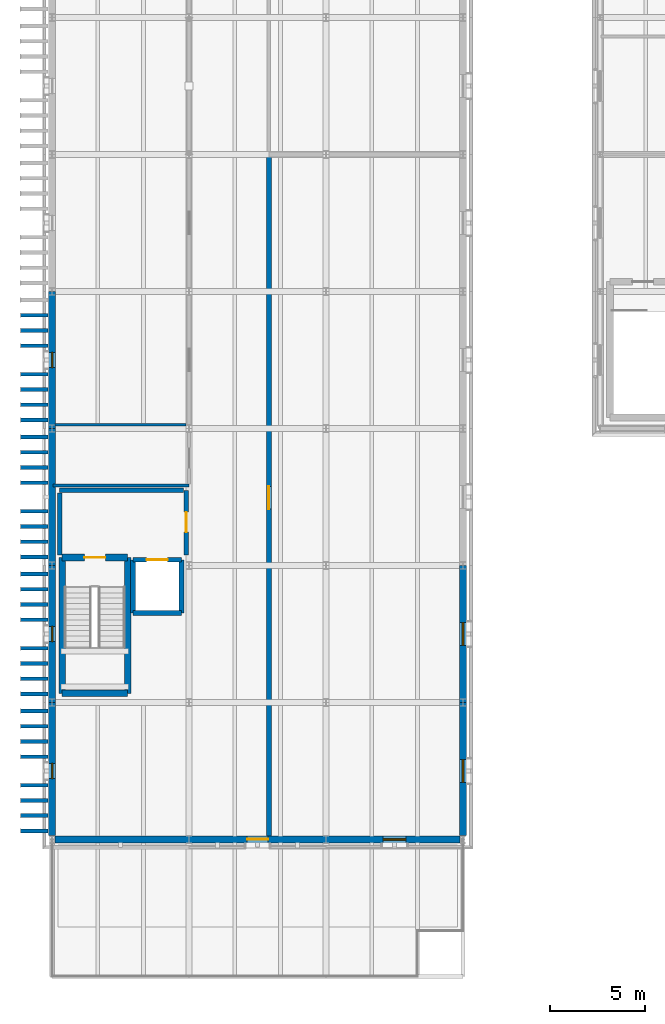
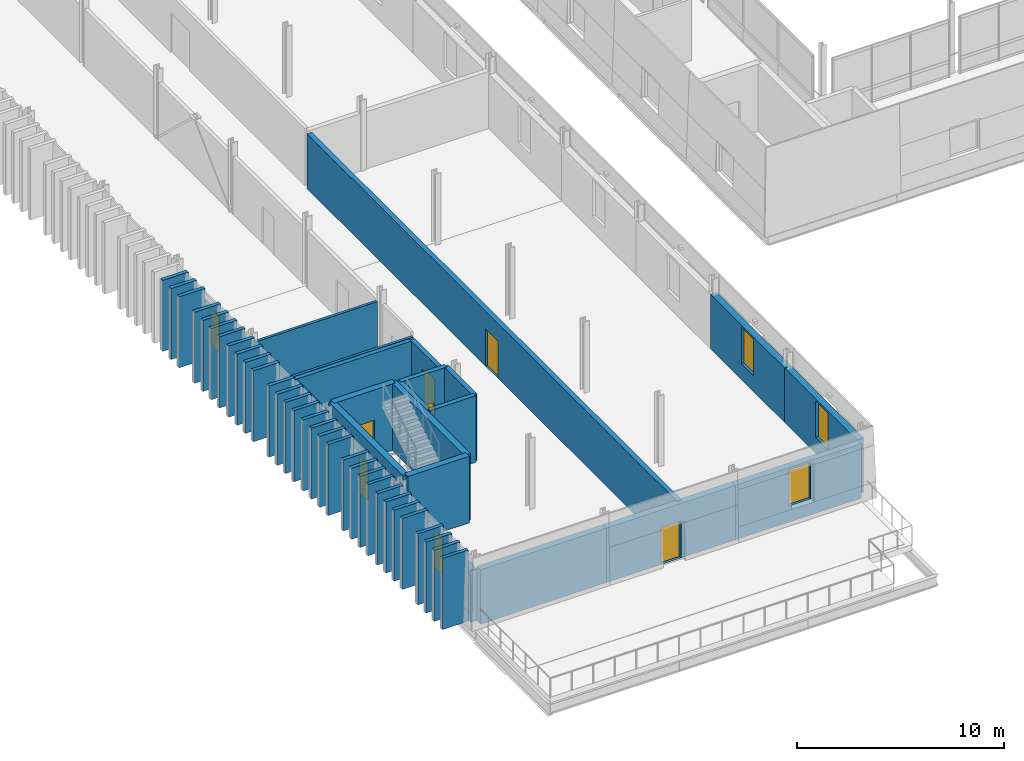
# One storey, part 43 of 66: 54 walls, 6 windows, 5 doors, 11 openings.
"""IFC4 building model written with IfcOpenShell, lengths in metres."""

from ifc_helpers import new_model, si_unit, direction, frame, frame_2d, origin, place, context, subcontext, project, spatial, rectangle, extrude, material, layer, layer_set, type_object, element, fill, save


model = new_model("IFC4")

# Units and contexts
model_context = context("Model", 3, precision=1e-05, world=origin(), true_north=direction((0.0, 1.0)))
body_context = subcontext(model_context, "Body", "Model", "MODEL_VIEW")
ifc_project = project(units=[si_unit("LENGTHUNIT", "METRE"), si_unit("AREAUNIT", "SQUARE_METRE"), si_unit("VOLUMEUNIT", "CUBIC_METRE"), si_unit("PLANEANGLEUNIT", "RADIAN"), si_unit("MASSUNIT", "GRAM", prefix="KILO")], contexts=[model_context])

# Site, building, storey
site_placement = place(None, origin())
site = spatial("IfcSite", under=ifc_project, at=site_placement, CompositionType="ELEMENT")
building_placement = place(site_placement, origin())
building = spatial("IfcBuilding", under=site, at=building_placement, Name="Narikvali Park Central Library", CompositionType="ELEMENT")
storey_placement = place(building_placement, frame((0.0, 0.0, 18.60009765625)))
storey = spatial("IfcBuildingStorey", under=building, at=storey_placement, Name="L04", CompositionType="ELEMENT", Elevation=18.60009765625)

# Wall, opening, door
ifc_material_1 = material(Name="Autoclaved Concrete Blockwork C25/30", Category="masonry")
ifc_layer_1 = layer(ifc_material_1, 0.239990234375, Name="Autoclaved Concrete Blockwork C25/30")
ifc_layer_set_1 = layer_set([ifc_layer_1], Name="Autoclaved Concrete Blockwork C25/30")
wall_type_1 = type_object("IfcWallType", Name="Fire Compartment Concrete Block Wall 240", PredefinedType="SOLIDWALL", material=ifc_layer_set_1)
wall_1_placement = place(storey_placement, frame((7.050048828125, 50.949951171875, 0.0), z_axis=(0.0, 0.0, 1.0), x_axis=(0.0, 1.0, 0.0)))
wall_1 = element("IfcWall", 1, at=wall_1_placement, inside=storey, type_object=wall_type_1, Name="C5A L04 Firefighting Lobby Wall E", PredefinedType="SOLIDWALL", context=body_context, shape_type="SweptSolid", body=[
    extrude(rectangle(XDim=3.400146484375, YDim=0.239990234375, at=frame_2d((1.7001953125, 0.0))), origin(), (0.0, 0.0, 1.0), 3.199951171875),
])
opening_1_placement = place(wall_1_placement, frame((1.199951171875, 0.0, 0.0)))
opening_1 = element("IfcOpeningElement", 2, at=opening_1_placement, cuts=wall_1, Name="Opening FF-047", PredefinedType="OPENING", context=body_context, shape_type="SweptSolid", body=[
    extrude(rectangle(XDim=1.050048828125, YDim=2.14990234375, at=frame_2d((0.52490234375, 1.074951171875))), frame((0.0, 0.1318359375, 0.0), z_axis=(0.0, -1.0, 0.0), x_axis=(1.0, 0.0, 0.0)), (0.0, 0.0, 1.0), 0.263916015625),
])
ifc_material_2 = material(Name="Powder-Coated Steel S275 Fire Leaf", Category="steel")
door_type_1 = type_object("IfcDoorType", Name="Firefighting Lobby Single Fire Door 1050x2150", OperationType="SINGLE_SWING_RIGHT", PredefinedType="DOOR", material=ifc_material_2)
door_1_placement = place(opening_1_placement, frame((1.050048828125, 0.0, 0.0), z_axis=(0.0, 0.0, 1.0), x_axis=(-1.0, 0.0, 0.0)))
door_1 = element("IfcDoor", 3, at=door_1_placement, inside=storey, type_object=door_type_1, Name="FF-01 L04 Firefighting Lobby Corridor Door", OperationType="SINGLE_SWING_RIGHT", OverallHeight=2.14990234375, OverallWidth=1.050048828125, PredefinedType="DOOR", context=body_context, shape_type="SweptSolid", body=[
    extrude(rectangle(XDim=1.050048828125, YDim=2.14990234375, at=frame_2d((0.52490234375, 1.074951171875))), frame((0.0, 0.02490234375, 0.0), z_axis=(0.0, -1.0, 0.0), x_axis=(1.0, 0.0, 0.0)), (0.0, 0.0, 1.0), 0.050048828125),
])
fill(opening_1, door_1)

# Walls
wall_2_placement = place(storey_placement, frame((0.39990234375, 54.35009765625, 0.0), z_axis=(0.0, 0.0, 1.0), x_axis=(1.0, 0.0, 0.0)))
element("IfcWall", 4, at=wall_2_placement, inside=storey, type_object=wall_type_1, Name="C5A L04 Firefighting Lobby Wall N", PredefinedType="SOLIDWALL", context=body_context, shape_type="SweptSolid", body=[
    extrude(rectangle(XDim=6.52001953125, YDim=0.239990234375, at=frame_2d((3.260009765625, 0.0))), origin(), (0.0, 0.0, 1.0), 3.199951171875),
])
wall_3_placement = place(storey_placement, frame((0.39990234375, 50.949951171875, 0.0), z_axis=(0.0, 0.0, 1.0), x_axis=(0.0, 1.0, 0.0)))
element("IfcWall", 5, at=wall_3_placement, inside=storey, type_object=wall_type_1, Name="C5A L04 Firefighting Lobby Wall W", PredefinedType="SOLIDWALL", context=body_context, shape_type="SweptSolid", body=[
    extrude(rectangle(XDim=3.27001953125, YDim=0.239990234375, at=frame_2d((1.635009765625, 0.0))), origin(), (0.0, 0.0, 1.0), 3.199951171875),
])
ifc_material_3 = material(Name="Kiln-Fired Terracotta Red Brick Masonry", Category="masonry")
ifc_layer_2 = layer(ifc_material_3, 0.199951171875, Name="Kiln-Fired Terracotta Red Brick Masonry")
ifc_layer_set_2 = layer_set([ifc_layer_2], Name="Kiln-Fired Terracotta Red Brick Masonry")
wall_type_2 = type_object("IfcWallType", Name="Kiln-Fired Red Brick Vertical Fin Wall 200", PredefinedType="SOLIDWALL", material=ifc_layer_set_2)
for number, where, z_axis, x_axis, name in (
    (6, (-1.659912109375, 36.449951171875, 0.0), (0.0, 0.0, 1.0), (1.0, 0.0, 0.0), "West Stacks Red Brick Vertical Fin Pier 037"),
    (7, (-1.659912109375, 37.25, 0.0), (0.0, 0.0, 1.0), (1.0, 0.0, 0.0), "West Stacks Red Brick Vertical Fin Pier 042"),
    (8, (-1.659912109375, 38.050048828125, 0.0), (0.0, 0.0, 1.0), (1.0, 0.0, 0.0), "West Stacks Red Brick Vertical Fin Pier 047"),
    (9, (-1.659912109375, 38.85009765625, 0.0), (0.0, 0.0, 1.0), (1.0, 0.0, 0.0), "West Stacks Red Brick Vertical Fin Pier 052"),
    (10, (-1.659912109375, 40.35009765625, 0.0), (0.0, 0.0, 1.0), (1.0, 0.0, 0.0), "West Stacks Red Brick Vertical Fin Pier 057"),
    (11, (-1.659912109375, 41.14990234375, 0.0), (0.0, 0.0, 1.0), (1.0, 0.0, 0.0), "West Stacks Red Brick Vertical Fin Pier 062"),
    (12, (-1.659912109375, 41.949951171875, 0.0), (0.0, 0.0, 1.0), (1.0, 0.0, 0.0), "West Stacks Red Brick Vertical Fin Pier 067"),
    (13, (-1.659912109375, 42.75, 0.0), (0.0, 0.0, 1.0), (1.0, 0.0, 0.0), "West Stacks Red Brick Vertical Fin Pier 072"),
    (14, (-1.659912109375, 43.64990234375, 0.0), (0.0, 0.0, 1.0), (1.0, 0.0, 0.0), "West Stacks Red Brick Vertical Fin Pier 077"),
    (15, (-1.659912109375, 44.449951171875, 0.0), (0.0, 0.0, 1.0), (1.0, 0.0, 0.0), "West Stacks Red Brick Vertical Fin Pier 083"),
    (16, (-1.659912109375, 45.25, 0.0), (0.0, 0.0, 1.0), (1.0, 0.0, 0.0), "West Stacks Red Brick Vertical Fin Pier 089"),
    (17, (-1.659912109375, 46.050048828125, 0.0), (0.0, 0.0, 1.0), (1.0, 0.0, 0.0), "West Stacks Red Brick Vertical Fin Pier 095"),
    (18, (-1.659912109375, 47.550048828125, 0.0), (0.0, 0.0, 1.0), (1.0, 0.0, 0.0), "West Stacks Red Brick Vertical Fin Pier 101"),
    (19, (-1.659912109375, 48.35009765625, 0.0), (0.0, 0.0, 1.0), (1.0, 0.0, 0.0), "West Stacks Red Brick Vertical Fin Pier 107"),
    (20, (-1.659912109375, 49.14990234375, 0.0), (0.0, 0.0, 1.0), (1.0, 0.0, 0.0), "West Stacks Red Brick Vertical Fin Pier 113"),
    (21, (-1.659912109375, 49.949951171875, 0.0), (0.0, 0.0, 1.0), (1.0, 0.0, 0.0), "West Stacks Red Brick Vertical Fin Pier 119"),
    (22, (-1.659912109375, 50.85009765625, 0.0), (0.0, 0.0, 1.0), (1.0, 0.0, 0.0), "West Stacks Red Brick Vertical Fin Pier 125"),
    (23, (-1.659912109375, 51.64990234375, 0.0), (0.0, 0.0, 1.0), (1.0, 0.0, 0.0), "West Stacks Red Brick Vertical Fin Pier 131"),
    (24, (-1.659912109375, 52.449951171875, 0.0), (0.0, 0.0, 1.0), (1.0, 0.0, 0.0), "West Stacks Red Brick Vertical Fin Pier 137"),
    (25, (-1.659912109375, 53.25, 0.0), (0.0, 0.0, 1.0), (1.0, 0.0, 0.0), "West Stacks Red Brick Vertical Fin Pier 143"),
    (26, (-1.659912109375, 54.75, 0.0), (0.0, 0.0, 1.0), (1.0, 0.0, 0.0), "West Stacks Red Brick Vertical Fin Pier 149"),
    (27, (-1.659912109375, 55.550048828125, 0.0), (0.0, 0.0, 1.0), (1.0, 0.0, 0.0), "West Stacks Red Brick Vertical Fin Pier 155"),
    (28, (-1.659912109375, 56.35009765625, 0.0), (0.0, 0.0, 1.0), (1.0, 0.0, 0.0), "West Stacks Red Brick Vertical Fin Pier 161"),
    (29, (-1.659912109375, 57.14990234375, 0.0), (0.0, 0.0, 1.0), (1.0, 0.0, 0.0), "West Stacks Red Brick Vertical Fin Pier 167"),
    (30, (-1.659912109375, 58.050048828125, 0.0), (0.0, 0.0, 1.0), (1.0, 0.0, 0.0), "West Stacks Red Brick Vertical Fin Pier 173"),
    (31, (-1.659912109375, 58.85009765625, 0.0), (0.0, 0.0, 1.0), (1.0, 0.0, 0.0), "West Stacks Red Brick Vertical Fin Pier 179"),
    (32, (-1.659912109375, 59.64990234375, 0.0), (0.0, 0.0, 1.0), (1.0, 0.0, 0.0), "West Stacks Red Brick Vertical Fin Pier 185"),
    (33, (-1.659912109375, 60.449951171875, 0.0), (0.0, 0.0, 1.0), (1.0, 0.0, 0.0), "West Stacks Red Brick Vertical Fin Pier 191"),
    (34, (-1.659912109375, 61.949951171875, 0.0), (0.0, 0.0, 1.0), (1.0, 0.0, 0.0), "West Stacks Red Brick Vertical Fin Pier 197"),
    (35, (-1.659912109375, 62.75, 0.0), (0.0, 0.0, 1.0), (1.0, 0.0, 0.0), "West Stacks Red Brick Vertical Fin Pier 203"),
    (36, (-1.659912109375, 63.550048828125, 0.0), (0.0, 0.0, 1.0), (1.0, 0.0, 0.0), "West Stacks Red Brick Vertical Fin Pier 209"),
):
    element("IfcWall", number, at=place(storey_placement, frame(where, z_axis=z_axis, x_axis=x_axis)), inside=storey, type_object=wall_type_2, Name=name, PredefinedType="SOLIDWALL", context=body_context, shape_type="SweptSolid", body=[
        extrude(rectangle(XDim=1.43994140625, YDim=0.199951171875, at=frame_2d((0.719970703125, 0.0))), origin(), (0.0, 0.0, 1.0), 4.199951171875),
    ])
ifc_material_4 = material(Name="Moisture-Resistant Cement Board on Steel Studs", Category="steel")
ifc_layer_3 = layer(ifc_material_4, 0.14990234375, Name="Moisture-Resistant Cement Board on Steel Studs")
ifc_layer_set_3 = layer_set([ifc_layer_3], Name="Moisture-Resistant Cement Board on Steel Studs")
wall_type_3 = type_object("IfcWallType", Name="Moisture-Resistant WC Partition 150", PredefinedType="PARTITIONING", material=ifc_layer_set_3)
wall_4_placement = place(storey_placement, frame((0.054931640625, 54.60009765625, 0.0), z_axis=(0.0, 0.0, 1.0), x_axis=(1.0, 0.0, 0.0)))
element("IfcWall", 37, at=wall_4_placement, inside=storey, type_object=wall_type_3, Name="Stacks Wing Accessible WC L04 Partition S", PredefinedType="PARTITIONING", context=body_context, shape_type="SweptSolid", body=[
    extrude(rectangle(XDim=7.14501953125, YDim=0.14990234375, at=frame_2d((3.572509765625, 0.0))), origin(), (0.0, 0.0, 1.0), 3.171875),
])
wall_5_placement = place(storey_placement, frame((0.154052734375, 57.800048828125, 0.0), z_axis=(0.0, 0.0, 1.0), x_axis=(1.0, 0.0, 0.0)))
element("IfcWall", 38, at=wall_5_placement, inside=storey, type_object=wall_type_3, Name="Stacks Wing Accessible WC L04 Partition N", PredefinedType="PARTITIONING", context=body_context, shape_type="SweptSolid", body=[
    extrude(rectangle(XDim=6.891845703125, YDim=0.14990234375, at=frame_2d((3.44580078125, 0.0))), origin(), (0.0, 0.0, 1.0), 3.375),
])

# Wall, opening, door
ifc_material_5 = material(Name="High-Density Concrete Blockwork C35/45", Category="masonry")
ifc_layer_4 = layer(ifc_material_5, 0.27001953125, Name="High-Density Concrete Blockwork C35/45")
ifc_layer_set_4 = layer_set([ifc_layer_4], Name="High-Density Concrete Blockwork C35/45")
wall_type_4 = type_object("IfcWallType", Name="Rare Books Vault Partition Wall 270", PredefinedType="SOLIDWALL", material=ifc_layer_set_4)
wall_6_placement = place(storey_placement, frame((11.39990234375, 36.054931640625, 0.0), z_axis=(0.0, 0.0, 1.0), x_axis=(0.0, 1.0, 0.0)))
wall_6 = element("IfcWall", 39, at=wall_6_placement, inside=storey, type_object=wall_type_4, Name="Black Sea Cartographic Archive Partition W", PredefinedType="SOLIDWALL", context=body_context, shape_type="SweptSolid", body=[
    extrude(rectangle(XDim=35.80810546875, YDim=0.27001953125, at=frame_2d((17.904052734375, 0.0))), origin(), (0.0, 0.0, 1.0), 3.244873046875),
])
opening_2_placement = place(wall_6_placement, frame((17.303955078125, 0.0, 0.0)))
opening_2 = element("IfcOpeningElement", 40, at=opening_2_placement, cuts=wall_6, Name="Opening ID-0136", PredefinedType="OPENING", context=body_context, shape_type="SweptSolid", body=[
    extrude(rectangle(XDim=1.199951171875, YDim=2.199951171875, at=frame_2d((0.60009765625, 1.10009765625))), frame((0.0, 0.14697265625, 0.0), z_axis=(0.0, -1.0, 0.0), x_axis=(1.0, 0.0, 0.0)), (0.0, 0.0, 1.0), 0.2939453125),
])
ifc_material_6 = material(Name="Insulated Steel S355 Vault Leaf", Category="steel")
door_type_2 = type_object("IfcDoorType", Name="Archive Vault Heavy Fire Door 1200x2200", OperationType="SINGLE_SWING_LEFT", PredefinedType="DOOR", material=ifc_material_6)
door_2_placement = place(opening_2_placement, frame((1.199951171875, 0.0, 0.0), z_axis=(0.0, 0.0, 1.0), x_axis=(-1.0, 0.0, 0.0)))
door_2 = element("IfcDoor", 41, at=door_2_placement, inside=storey, type_object=door_type_2, Name="Black Sea Cartographic Archive Door ID-0136", OperationType="SINGLE_SWING_RIGHT", OverallHeight=2.199951171875, OverallWidth=1.199951171875, PredefinedType="DOOR", context=body_context, shape_type="SweptSolid", body=[
    extrude(rectangle(XDim=1.199951171875, YDim=2.199951171875, at=frame_2d((0.60009765625, 1.10009765625))), frame((0.0, 0.02490234375, 0.0), z_axis=(0.0, -1.0, 0.0), x_axis=(1.0, 0.0, 0.0)), (0.0, 0.0, 1.0), 0.050048828125),
])
fill(opening_2, door_2)

# Walls
ifc_material_7 = material(Name="Concrete C40/50", Category="concrete")
ifc_layer_5 = layer(ifc_material_7, 0.35009765625, Name="Concrete C40/50")
ifc_layer_set_5 = layer_set([ifc_layer_5], Name="Concrete C40/50")
wall_type_5 = type_object("IfcWallType", Name="Reinforced Concrete Core Shear Wall 350", PredefinedType="SHEAR", material=ifc_layer_set_5)
wall_7_placement = place(storey_placement, frame((0.530029296875, 43.679931640625, 0.0), z_axis=(0.0, 0.0, 1.0), x_axis=(1.0, 0.0, 0.0)))
element("IfcWall", 42, at=wall_7_placement, inside=storey, type_object=wall_type_5, Name="C5A L04 Stair Core Shear Wall S", PredefinedType="SHEAR", context=body_context, shape_type="SweptSolid", body=[
    extrude(rectangle(XDim=3.43994140625, YDim=0.35009765625, at=frame_2d((1.719970703125, 0.0))), origin(), (0.0, 0.0, 1.0), 3.93994140625),
])
wall_8_placement = place(storey_placement, frame((3.969970703125, 43.679931640625, 0.0), z_axis=(0.0, 0.0, 1.0), x_axis=(0.0, 1.0, 0.0)))
element("IfcWall", 43, at=wall_8_placement, inside=storey, type_object=wall_type_5, Name="C5A L04 Stair Core Shear Wall E", PredefinedType="SHEAR", context=body_context, shape_type="SweptSolid", body=[
    extrude(rectangle(XDim=7.14013671875, YDim=0.35009765625, at=frame_2d((3.570068359375, 0.0))), origin(), (0.0, 0.0, 1.0), 3.93994140625),
])

# Wall, opening, door
wall_9_placement = place(storey_placement, frame((3.969970703125, 50.820068359375, 0.0), z_axis=(0.0, 0.0, 1.0), x_axis=(-1.0, 0.0, 0.0)))
wall_9 = element("IfcWall", 44, at=wall_9_placement, inside=storey, type_object=wall_type_5, Name="C5A L04 Stair Core Shear Wall N", PredefinedType="SHEAR", context=body_context, shape_type="SweptSolid", body=[
    extrude(rectangle(XDim=3.43994140625, YDim=0.35009765625, at=frame_2d((1.719970703125, 0.0))), origin(), (0.0, 0.0, 1.0), 3.93994140625),
])
opening_3_placement = place(wall_9_placement, frame((1.169921875, 0.0, 0.0)))
opening_3 = element("IfcOpeningElement", 45, at=opening_3_placement, cuts=wall_9, Name="Opening SD-046", PredefinedType="OPENING", context=body_context, shape_type="SweptSolid", body=[
    extrude(rectangle(XDim=1.10009765625, YDim=2.14990234375, at=frame_2d((0.550048828125, 1.074951171875))), frame((0.0, 0.18701171875, 0.0), z_axis=(0.0, -1.0, 0.0), x_axis=(1.0, 0.0, 0.0)), (0.0, 0.0, 1.0), 0.3740234375),
])
door_type_3 = type_object("IfcDoorType", Name="Stair Core Smoke-Control Fire Door 1100x2150", OperationType="SINGLE_SWING_LEFT", PredefinedType="DOOR", material=ifc_material_2)
door_3_placement = place(opening_3_placement, frame((1.10009765625, 0.0, 0.0), z_axis=(0.0, 0.0, 1.0), x_axis=(-1.0, 0.0, 0.0)))
door_3 = element("IfcDoor", 46, at=door_3_placement, inside=storey, type_object=door_type_3, Name="ST-09 L04 Stair Exit Door SD-046", OperationType="SINGLE_SWING_RIGHT", OverallHeight=2.14990234375, OverallWidth=1.10009765625, PredefinedType="DOOR", context=body_context, shape_type="SweptSolid", body=[
    extrude(rectangle(XDim=1.10009765625, YDim=2.14990234375, at=frame_2d((0.550048828125, 1.074951171875))), frame((0.0, 0.02490234375, 0.0), z_axis=(0.0, -1.0, 0.0), x_axis=(1.0, 0.0, 0.0)), (0.0, 0.0, 1.0), 0.050048828125),
])
fill(opening_3, door_3)

# Walls
wall_10_placement = place(storey_placement, frame((0.530029296875, 50.820068359375, 0.0), z_axis=(0.0, 0.0, 1.0), x_axis=(0.0, -1.0, 0.0)))
element("IfcWall", 47, at=wall_10_placement, inside=storey, type_object=wall_type_5, Name="C5A L04 Stair Core Shear Wall W", PredefinedType="SHEAR", context=body_context, shape_type="SweptSolid", body=[
    extrude(rectangle(XDim=7.14013671875, YDim=0.35009765625, at=frame_2d((3.570068359375, 0.0))), origin(), (0.0, 0.0, 1.0), 3.93994140625),
])
ifc_layer_6 = layer(ifc_material_7, 0.25, Name="Concrete C40/50")
ifc_layer_set_6 = layer_set([ifc_layer_6], Name="Concrete C40/50")
wall_type_6 = type_object("IfcWallType", Name="Reinforced Concrete Lift Shaft Wall 250", PredefinedType="SHEAR", material=ifc_layer_set_6)
wall_11_placement = place(storey_placement, frame((4.25, 47.89990234375, 0.0), z_axis=(0.0, 0.0, 1.0), x_axis=(1.0, 0.0, 0.0)))
element("IfcWall", 48, at=wall_11_placement, inside=storey, type_object=wall_type_6, Name="FF-01 L04 Lift Shaft Wall S", PredefinedType="SHEAR", context=body_context, shape_type="SweptSolid", body=[
    extrude(rectangle(XDim=2.550048828125, YDim=0.25, at=frame_2d((1.27490234375, 0.0))), origin(), (0.0, 0.0, 1.0), 3.93994140625),
])
wall_12_placement = place(storey_placement, frame((6.800048828125, 47.89990234375, 0.0), z_axis=(0.0, 0.0, 1.0), x_axis=(0.0, 1.0, 0.0)))
element("IfcWall", 49, at=wall_12_placement, inside=storey, type_object=wall_type_6, Name="FF-01 L04 Lift Shaft Wall E", PredefinedType="SHEAR", context=body_context, shape_type="SweptSolid", body=[
    extrude(rectangle(XDim=2.800048828125, YDim=0.25, at=frame_2d((1.39990234375, 0.0))), origin(), (0.0, 0.0, 1.0), 3.93994140625),
])

# Wall, opening, door
wall_13_placement = place(storey_placement, frame((6.800048828125, 50.699951171875, 0.0), z_axis=(0.0, 0.0, 1.0), x_axis=(-1.0, 0.0, 0.0)))
wall_13 = element("IfcWall", 50, at=wall_13_placement, inside=storey, type_object=wall_type_6, Name="FF-01 L04 Lift Shaft Wall N", PredefinedType="SHEAR", context=body_context, shape_type="SweptSolid", body=[
    extrude(rectangle(XDim=2.550048828125, YDim=0.25, at=frame_2d((1.27490234375, 0.0))), origin(), (0.0, 0.0, 1.0), 3.93994140625),
])
opening_4_placement = place(wall_13_placement, frame((0.72509765625, 0.0, 0.0)))
opening_4 = element("IfcOpeningElement", 51, at=opening_4_placement, cuts=wall_13, Name="Opening LD-039", PredefinedType="OPENING", context=body_context, shape_type="SweptSolid", body=[
    extrude(rectangle(XDim=1.10009765625, YDim=2.10009765625, at=frame_2d((0.550048828125, 1.050048828125))), frame((0.0, 0.136962890625, 0.0), z_axis=(0.0, -1.0, 0.0), x_axis=(1.0, 0.0, 0.0)), (0.0, 0.0, 1.0), 0.27392578125),
])
ifc_material_8 = material(Name="Brushed Stainless Steel S355", Category="steel")
door_type_4 = type_object("IfcDoorType", Name="Firefighting Lift Sliding Landing Door 1100x2100", OperationType="SLIDING_TO_RIGHT", PredefinedType="DOOR", material=ifc_material_8)
door_4_placement = place(opening_4_placement, origin())
door_4 = element("IfcDoor", 52, at=door_4_placement, inside=storey, type_object=door_type_4, Name="FF-01 L04 Lift Landing Sliding Door LD-039", OperationType="SLIDING_TO_RIGHT", OverallHeight=2.10009765625, OverallWidth=1.10009765625, PredefinedType="DOOR", context=body_context, shape_type="SweptSolid", body=[
    extrude(rectangle(XDim=1.10009765625, YDim=2.10009765625, at=frame_2d((0.550048828125, 1.050048828125))), frame((0.0, 0.02490234375, 0.0), z_axis=(0.0, -1.0, 0.0), x_axis=(1.0, 0.0, 0.0)), (0.0, 0.0, 1.0), 0.050048828125),
])
fill(opening_4, door_4)

# Walls
wall_14_placement = place(storey_placement, frame((4.25, 50.699951171875, 0.0), z_axis=(0.0, 0.0, 1.0), x_axis=(0.0, -1.0, 0.0)))
element("IfcWall", 53, at=wall_14_placement, inside=storey, type_object=wall_type_6, Name="FF-01 L04 Lift Shaft Wall W", PredefinedType="SHEAR", context=body_context, shape_type="SweptSolid", body=[
    extrude(rectangle(XDim=2.800048828125, YDim=0.25, at=frame_2d((1.39990234375, 0.0))), origin(), (0.0, 0.0, 1.0), 3.93994140625),
])
ifc_material_9 = material(Name="White Honed Limestone over Concrete C35/45", Category="masonry")
ifc_layer_7 = layer(ifc_material_9, 0.360107421875, Name="White Honed Limestone over Concrete C35/45")
ifc_layer_set_7 = layer_set([ifc_layer_7], Name="White Honed Limestone over Concrete C35/45")
wall_type_7 = type_object("IfcWallType", Name="White Limestone Attic Clerestory Wall 360", PredefinedType="SOLIDWALL", material=ifc_layer_set_7)
wall_15_placement = place(storey_placement, frame((0.154052734375, 36.0, 0.0), z_axis=(0.0, 0.0, 1.0), x_axis=(1.0, 0.0, 0.0)))
element("IfcWall", 54, at=wall_15_placement, inside=storey, type_object=wall_type_7, Name="V5 L04 S Exterior Limestone Wall B01", PredefinedType="SOLIDWALL", context=body_context, shape_type="SweptSolid", body=[
    extrude(rectangle(XDim=7.0458984375, YDim=0.360107421875, at=frame_2d((3.52294921875, 0.0))), origin(), (0.0, 0.0, 1.0), 3.219970703125),
])

# Wall, opening, door
wall_16_placement = place(storey_placement, frame((7.199951171875, 36.0, 0.0), z_axis=(0.0, 0.0, 1.0), x_axis=(1.0, 0.0, 0.0)))
wall_16 = element("IfcWall", 55, at=wall_16_placement, inside=storey, type_object=wall_type_7, Name="V5 L04 S Exterior Limestone Wall B02", PredefinedType="SOLIDWALL", context=body_context, shape_type="SweptSolid", body=[
    extrude(rectangle(XDim=7.199951171875, YDim=0.360107421875, at=frame_2d((3.60009765625, 0.0))), origin(), (0.0, 0.0, 1.0), 3.219970703125),
])
opening_5_placement = place(wall_16_placement, frame((3.050048828125, 0.0, 0.0)))
opening_5 = element("IfcOpeningElement", 56, at=opening_5_placement, cuts=wall_16, Name="Opening ED-045", PredefinedType="OPENING", context=body_context, shape_type="SweptSolid", body=[
    extrude(rectangle(XDim=1.10009765625, YDim=2.199951171875, at=frame_2d((0.550048828125, 1.10009765625))), frame((0.0, 0.19189453125, 0.0), z_axis=(0.0, -1.0, 0.0), x_axis=(1.0, 0.0, 0.0)), (0.0, 0.0, 1.0), 0.384033203125),
])
ifc_material_10 = material(Name="Anodised Architectural Bronze and Tempered Glass", Category="glass")
door_type_5 = type_object("IfcDoorType", Name="Roof Garden Terrace Glazed Door 1100x2200", OperationType="SINGLE_SWING_LEFT", PredefinedType="DOOR", material=ifc_material_10)
door_5_placement = place(opening_5_placement, frame((1.10009765625, 0.0, 0.0), z_axis=(0.0, 0.0, 1.0), x_axis=(-1.0, 0.0, 0.0)))
door_5 = element("IfcDoor", 57, at=door_5_placement, inside=storey, type_object=door_type_5, Name="V5 L04 Planted Roof Garden Access Door ED-045", OperationType="SINGLE_SWING_LEFT", OverallHeight=2.199951171875, OverallWidth=1.10009765625, PredefinedType="DOOR", context=body_context, shape_type="SweptSolid", body=[
    extrude(rectangle(XDim=1.10009765625, YDim=2.199951171875, at=frame_2d((0.550048828125, 1.10009765625))), frame((0.0, 0.02490234375, 0.0), z_axis=(0.0, -1.0, 0.0), x_axis=(1.0, 0.0, 0.0)), (0.0, 0.0, 1.0), 0.050048828125),
])
fill(opening_5, door_5)

# Wall, opening, window
wall_17_placement = place(storey_placement, frame((14.39990234375, 36.0, 0.0), z_axis=(0.0, 0.0, 1.0), x_axis=(1.0, 0.0, 0.0)))
wall_17 = element("IfcWall", 58, at=wall_17_placement, inside=storey, type_object=wall_type_7, Name="V5 L04 S Exterior Limestone Wall B03", PredefinedType="SOLIDWALL", context=body_context, shape_type="SweptSolid", body=[
    extrude(rectangle(XDim=7.046142578125, YDim=0.360107421875, at=frame_2d((3.52294921875, 0.0))), origin(), (0.0, 0.0, 1.0), 3.219970703125),
])
opening_6_placement = place(wall_17_placement, frame((3.0, 0.0, 0.949951171875)))
opening_6 = element("IfcOpeningElement", 59, at=opening_6_placement, cuts=wall_17, Name="Opening WIN-0307", PredefinedType="OPENING", context=body_context, shape_type="SweptSolid", body=[
    extrude(rectangle(XDim=1.199951171875, YDim=2.14990234375, at=frame_2d((0.60009765625, 1.074951171875))), frame((0.0, 0.19189453125, 0.0), z_axis=(0.0, -1.0, 0.0), x_axis=(1.0, 0.0, 0.0)), (0.0, 0.0, 1.0), 0.384033203125),
])
ifc_material_11 = material(Name="Anodised Bronze Aluminium and Low-E Triple Glazing", Category="aluminium")
window_type_1 = type_object("IfcWindowType", Name="Stacks Archive Deep-Reveal Punched Window 1200x2150", PartitioningType="SINGLE_PANEL", PredefinedType="WINDOW", material=ifc_material_11)
window_1_placement = place(opening_6_placement, origin())
window_1 = element("IfcWindow", 60, at=window_1_placement, inside=storey, type_object=window_type_1, Name="V5 L04 S Deep-Reveal Window WIN-0307", OverallHeight=2.14990234375, OverallWidth=1.199951171875, PartitioningType="SINGLE_PANEL", PredefinedType="WINDOW", context=body_context, shape_type="SweptSolid", body=[
    extrude(rectangle(XDim=1.199951171875, YDim=2.14990234375, at=frame_2d((0.60009765625, 1.074951171875))), frame((0.0, 0.030029296875, 0.0), z_axis=(0.0, -1.0, 0.0), x_axis=(1.0, 0.0, 0.0)), (0.0, 0.0, 1.0), 0.06005859375),
])
fill(opening_6, window_1)

wall_18_placement = place(storey_placement, frame((21.60009765625, 36.2041015625, 0.0), z_axis=(0.0, 0.0, 1.0), x_axis=(0.0, 1.0, 0.0)))
wall_18 = element("IfcWall", 61, at=wall_18_placement, inside=storey, type_object=wall_type_7, Name="V5 L04 E Exterior Limestone Wall B01", PredefinedType="SOLIDWALL", context=body_context, shape_type="SweptSolid", body=[
    extrude(rectangle(XDim=6.995849609375, YDim=0.360107421875, at=frame_2d((3.498046875, 0.0))), origin(), (0.0, 0.0, 1.0), 3.219970703125),
])
opening_7_placement = place(wall_18_placement, frame((2.7958984375, 0.0, 0.949951171875)))
opening_7 = element("IfcOpeningElement", 62, at=opening_7_placement, cuts=wall_18, Name="Opening WIN-0308", PredefinedType="OPENING", context=body_context, shape_type="SweptSolid", body=[
    extrude(rectangle(XDim=1.199951171875, YDim=2.14990234375, at=frame_2d((0.60009765625, 1.074951171875))), frame((0.0, 0.19189453125, 0.0), z_axis=(0.0, -1.0, 0.0), x_axis=(1.0, 0.0, 0.0)), (0.0, 0.0, 1.0), 0.384033203125),
])
window_2_placement = place(opening_7_placement, origin())
window_2 = element("IfcWindow", 63, at=window_2_placement, inside=storey, type_object=window_type_1, Name="V5 L04 E Deep-Reveal Window WIN-0308", OverallHeight=2.14990234375, OverallWidth=1.199951171875, PartitioningType="SINGLE_PANEL", PredefinedType="WINDOW", context=body_context, shape_type="SweptSolid", body=[
    extrude(rectangle(XDim=1.199951171875, YDim=2.14990234375, at=frame_2d((0.60009765625, 1.074951171875))), frame((0.0, 0.030029296875, 0.0), z_axis=(0.0, -1.0, 0.0), x_axis=(1.0, 0.0, 0.0)), (0.0, 0.0, 1.0), 0.06005859375),
])
fill(opening_7, window_2)

wall_19_placement = place(storey_placement, frame((21.60009765625, 43.199951171875, 0.0), z_axis=(0.0, 0.0, 1.0), x_axis=(0.0, 1.0, 0.0)))
wall_19 = element("IfcWall", 64, at=wall_19_placement, inside=storey, type_object=wall_type_7, Name="V5 L04 E Exterior Limestone Wall B02", PredefinedType="SOLIDWALL", context=body_context, shape_type="SweptSolid", body=[
    extrude(rectangle(XDim=7.199951171875, YDim=0.360107421875, at=frame_2d((3.60009765625, 0.0))), origin(), (0.0, 0.0, 1.0), 3.219970703125),
])
opening_8_placement = place(wall_19_placement, frame((3.0, 0.0, 0.949951171875)))
opening_8 = element("IfcOpeningElement", 65, at=opening_8_placement, cuts=wall_19, Name="Opening WIN-0309", PredefinedType="OPENING", context=body_context, shape_type="SweptSolid", body=[
    extrude(rectangle(XDim=1.199951171875, YDim=2.14990234375, at=frame_2d((0.60009765625, 1.074951171875))), frame((0.0, 0.19189453125, 0.0), z_axis=(0.0, -1.0, 0.0), x_axis=(1.0, 0.0, 0.0)), (0.0, 0.0, 1.0), 0.384033203125),
])
window_3_placement = place(opening_8_placement, origin())
window_3 = element("IfcWindow", 66, at=window_3_placement, inside=storey, type_object=window_type_1, Name="V5 L04 E Deep-Reveal Window WIN-0309", OverallHeight=2.14990234375, OverallWidth=1.199951171875, PartitioningType="SINGLE_PANEL", PredefinedType="WINDOW", context=body_context, shape_type="SweptSolid", body=[
    extrude(rectangle(XDim=1.199951171875, YDim=2.14990234375, at=frame_2d((0.60009765625, 1.074951171875))), frame((0.0, 0.030029296875, 0.0), z_axis=(0.0, -1.0, 0.0), x_axis=(1.0, 0.0, 0.0)), (0.0, 0.0, 1.0), 0.06005859375),
])
fill(opening_8, window_3)

wall_20_placement = place(storey_placement, frame((0.0, 64.800048828125, 0.0), z_axis=(0.0, 0.0, 1.0), x_axis=(0.0, -1.0, 0.0)))
wall_20 = element("IfcWall", 67, at=wall_20_placement, inside=storey, type_object=wall_type_7, Name="V5 L04 W Exterior Limestone Wall B07", PredefinedType="SOLIDWALL", context=body_context, shape_type="SweptSolid", body=[
    extrude(rectangle(XDim=7.199951171875, YDim=0.360107421875, at=frame_2d((3.60009765625, 0.0))), origin(), (0.0, 0.0, 1.0), 3.059814453125),
])
opening_9_placement = place(wall_20_placement, frame((3.199951171875, 0.0, 0.949951171875)))
opening_9 = element("IfcOpeningElement", 68, at=opening_9_placement, cuts=wall_20, Name="Opening WIN-0325", PredefinedType="OPENING", context=body_context, shape_type="SweptSolid", body=[
    extrude(rectangle(XDim=0.800048828125, YDim=2.14990234375, at=frame_2d((0.39990234375, 1.074951171875))), frame((0.0, 0.19189453125, 0.0), z_axis=(0.0, -1.0, 0.0), x_axis=(1.0, 0.0, 0.0)), (0.0, 0.0, 1.0), 0.384033203125),
])
window_type_2 = type_object("IfcWindowType", Name="West Fin-Bay Narrow Carrel Slot Window 800x2150", PartitioningType="SINGLE_PANEL", PredefinedType="WINDOW", material=ifc_material_11)
window_4_placement = place(opening_9_placement, origin())
window_4 = element("IfcWindow", 69, at=window_4_placement, inside=storey, type_object=window_type_2, Name="V5 L04 W Deep-Reveal Window WIN-0325", OverallHeight=2.14990234375, OverallWidth=0.800048828125, PartitioningType="SINGLE_PANEL", PredefinedType="WINDOW", context=body_context, shape_type="SweptSolid", body=[
    extrude(rectangle(XDim=0.800048828125, YDim=2.14990234375, at=frame_2d((0.39990234375, 1.074951171875))), frame((0.0, 0.030029296875, 0.0), z_axis=(0.0, -1.0, 0.0), x_axis=(1.0, 0.0, 0.0)), (0.0, 0.0, 1.0), 0.06005859375),
])
fill(opening_9, window_4)

# Wall
wall_21_placement = place(storey_placement, frame((0.0, 57.60009765625, 0.0), z_axis=(0.0, 0.0, 1.0), x_axis=(0.0, -1.0, 0.0)))
element("IfcWall", 70, at=wall_21_placement, inside=storey, type_object=wall_type_7, Name="V5 L04 W Exterior Limestone Wall B08", PredefinedType="SOLIDWALL", context=body_context, shape_type="SweptSolid", body=[
    extrude(rectangle(XDim=7.2001953125, YDim=0.360107421875, at=frame_2d((3.60009765625, 0.0))), origin(), (0.0, 0.0, 1.0), 3.059814453125),
])

# Wall, opening, window
wall_22_placement = place(storey_placement, frame((0.0, 50.39990234375, 0.0), z_axis=(0.0, 0.0, 1.0), x_axis=(0.0, -1.0, 0.0)))
wall_22 = element("IfcWall", 71, at=wall_22_placement, inside=storey, type_object=wall_type_7, Name="V5 L04 W Exterior Limestone Wall B09", PredefinedType="SOLIDWALL", context=body_context, shape_type="SweptSolid", body=[
    extrude(rectangle(XDim=7.199951171875, YDim=0.360107421875, at=frame_2d((3.60009765625, 0.0))), origin(), (0.0, 0.0, 1.0), 3.059814453125),
])
opening_10_placement = place(wall_22_placement, frame((3.199951171875, 0.0, 0.949951171875)))
opening_10 = element("IfcOpeningElement", 72, at=opening_10_placement, cuts=wall_22, Name="Opening WIN-0326", PredefinedType="OPENING", context=body_context, shape_type="SweptSolid", body=[
    extrude(rectangle(XDim=0.800048828125, YDim=2.14990234375, at=frame_2d((0.39990234375, 1.074951171875))), frame((0.0, 0.19189453125, 0.0), z_axis=(0.0, -1.0, 0.0), x_axis=(1.0, 0.0, 0.0)), (0.0, 0.0, 1.0), 0.384033203125),
])
window_5_placement = place(opening_10_placement, origin())
window_5 = element("IfcWindow", 73, at=window_5_placement, inside=storey, type_object=window_type_2, Name="V5 L04 W Deep-Reveal Window WIN-0326", OverallHeight=2.14990234375, OverallWidth=0.800048828125, PartitioningType="SINGLE_PANEL", PredefinedType="WINDOW", context=body_context, shape_type="SweptSolid", body=[
    extrude(rectangle(XDim=0.800048828125, YDim=2.14990234375, at=frame_2d((0.39990234375, 1.074951171875))), frame((0.0, 0.030029296875, 0.0), z_axis=(0.0, -1.0, 0.0), x_axis=(1.0, 0.0, 0.0)), (0.0, 0.0, 1.0), 0.06005859375),
])
fill(opening_10, window_5)

wall_23_placement = place(storey_placement, frame((0.0, 43.199951171875, 0.0), z_axis=(0.0, 0.0, 1.0), x_axis=(0.0, -1.0, 0.0)))
wall_23 = element("IfcWall", 74, at=wall_23_placement, inside=storey, type_object=wall_type_7, Name="V5 L04 W Exterior Limestone Wall B10", PredefinedType="SOLIDWALL", context=body_context, shape_type="SweptSolid", body=[
    extrude(rectangle(XDim=6.995849609375, YDim=0.360107421875, at=frame_2d((3.498046875, 0.0))), origin(), (0.0, 0.0, 1.0), 3.059814453125),
])
opening_11_placement = place(wall_23_placement, frame((3.199951171875, 0.0, 0.949951171875)))
opening_11 = element("IfcOpeningElement", 75, at=opening_11_placement, cuts=wall_23, Name="Opening WIN-0327", PredefinedType="OPENING", context=body_context, shape_type="SweptSolid", body=[
    extrude(rectangle(XDim=0.800048828125, YDim=2.14990234375, at=frame_2d((0.39990234375, 1.074951171875))), frame((0.0, 0.19189453125, 0.0), z_axis=(0.0, -1.0, 0.0), x_axis=(1.0, 0.0, 0.0)), (0.0, 0.0, 1.0), 0.384033203125),
])
window_6_placement = place(opening_11_placement, origin())
window_6 = element("IfcWindow", 76, at=window_6_placement, inside=storey, type_object=window_type_2, Name="V5 L04 W Deep-Reveal Window WIN-0327", OverallHeight=2.14990234375, OverallWidth=0.800048828125, PartitioningType="SINGLE_PANEL", PredefinedType="WINDOW", context=body_context, shape_type="SweptSolid", body=[
    extrude(rectangle(XDim=0.800048828125, YDim=2.14990234375, at=frame_2d((0.39990234375, 1.074951171875))), frame((0.0, 0.030029296875, 0.0), z_axis=(0.0, -1.0, 0.0), x_axis=(1.0, 0.0, 0.0)), (0.0, 0.0, 1.0), 0.06005859375),
])
fill(opening_11, window_6)

save(model, "model.ifc")
